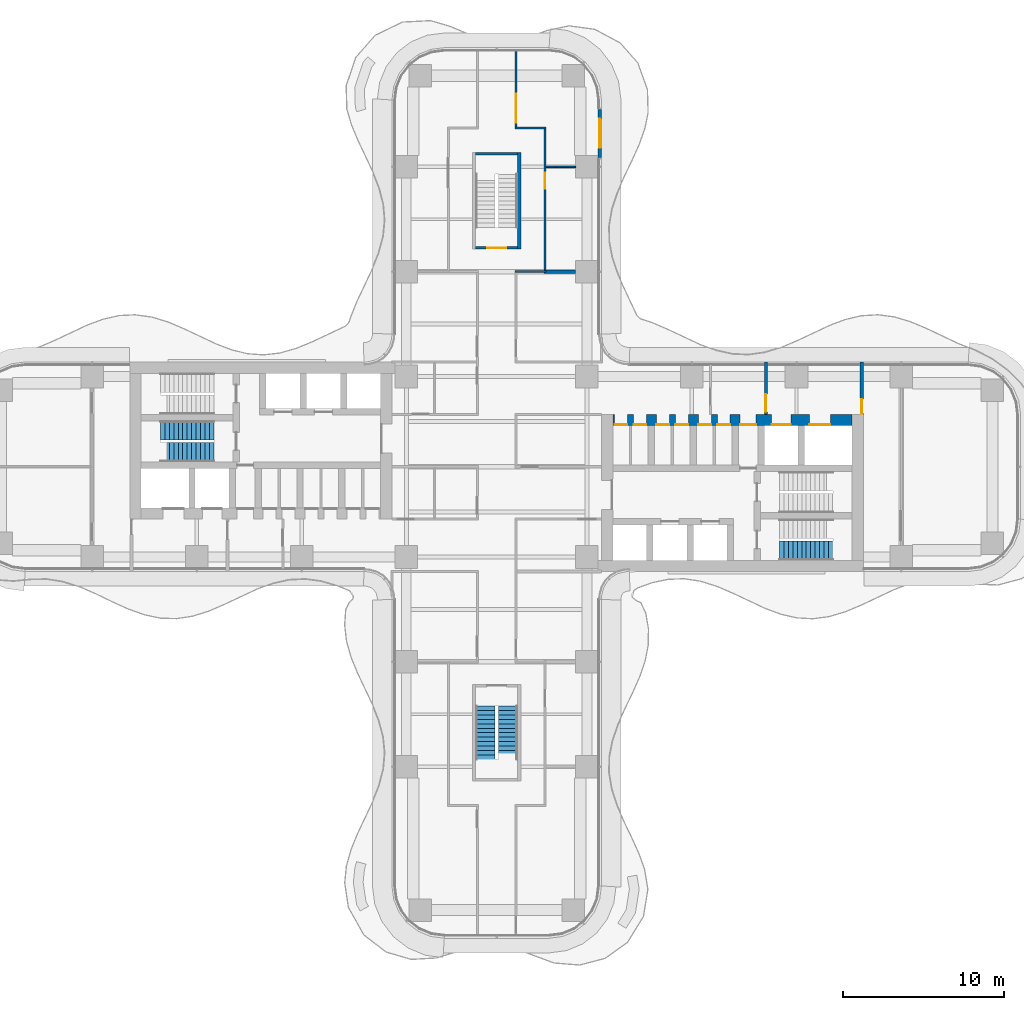
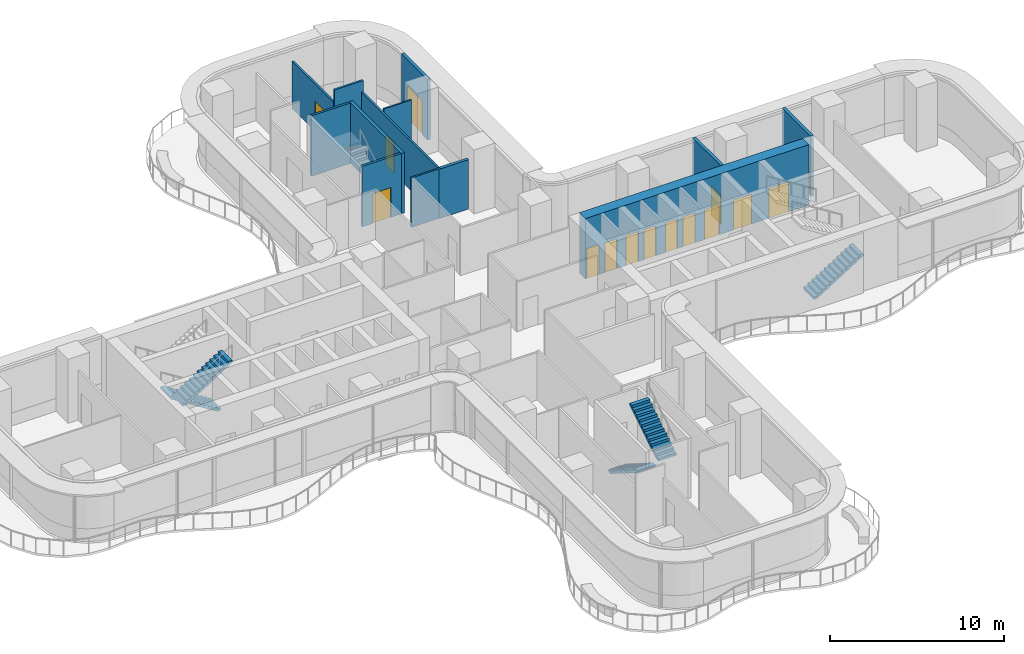
# One storey, part 20 of 23: 15 doors, 13 walls, 5 stair flights, 15 openings, 3 elements without a shape of their own.
"""IFC4 building model written with IfcOpenShell, lengths in metres."""

from ifc_helpers import new_model, si_unit, direction, frame, frame_2d, origin, place, context, subcontext, project, spatial, polyline, rectangle, outline, extrude, source, transform, mapped, material, layer, layer_set, type_object, element, fill, aggregate, save


model = new_model("IFC4")

# Units and contexts
model_context = context("Model", 3, precision=1e-05, world=origin(), true_north=direction((0.0, 1.0)))
body_context = subcontext(model_context, "Body", "Model", "MODEL_VIEW")
ifc_project = project(units=[si_unit("LENGTHUNIT", "METRE"), si_unit("AREAUNIT", "SQUARE_METRE"), si_unit("VOLUMEUNIT", "CUBIC_METRE"), si_unit("PLANEANGLEUNIT", "RADIAN"), si_unit("MASSUNIT", "GRAM", prefix="KILO")], contexts=[model_context])

# Site, building, storey
site_placement = place(None, origin())
site = spatial("IfcSite", under=ifc_project, at=site_placement, CompositionType="ELEMENT")
building_placement = place(site_placement, origin())
building = spatial("IfcBuilding", under=site, at=building_placement, Name="Trellis Farm Tower", CompositionType="ELEMENT")
storey_placement = place(building_placement, frame((0.0, 0.0, 83.5)))
storey = spatial("IfcBuildingStorey", under=building, at=storey_placement, Name="L17", CompositionType="ELEMENT", Elevation=83.5)

# Wall, opening, door
ifc_material_1 = material(Name="Masonry blockwork", Category="masonry")
ifc_layer_1 = layer(ifc_material_1, 0.199951171875)
ifc_layer_set_1 = layer_set([ifc_layer_1], Name="FIRE LOBBY PARTITION 200 BLOCKWORK")
wall_type_1 = type_object("IfcWallType", Name="FIRE LOBBY PARTITION 200 BLOCKWORK", PredefinedType="PARTITIONING", material=ifc_layer_set_1)
shared_shape_1 = source(origin(), body_context, "Body", "SweptSolid", [
    extrude(rectangle(XDim=3.25, YDim=0.199951171875, at=frame_2d((1.625, 0.0))), origin(), (0.0, 0.0, 1.0), 4.25),
])
wall_1_placement = place(storey_placement, frame((16.699951171875, 3.25, 0.0), z_axis=(0.0, 0.0, 1.0), x_axis=(0.0, 1.0, 0.0)))
wall_1 = element("IfcWall", 1, at=wall_1_placement, inside=storey, type_object=wall_type_1, Name="Fire-fighting lobby partition", PredefinedType="PARTITIONING", context=body_context, shape_type="MappedRepresentation", body=[
    mapped(shared_shape_1, transform((0.0, 0.0, 0.0))),
])
shared_shape_2 = source(origin(), body_context, "Body", "SweptSolid", [
    extrude(rectangle(XDim=1.10009765625, YDim=2.10009765625, at=frame_2d((0.550048828125, 1.050048828125))), frame((0.0, 0.110107421875, 0.0), z_axis=(0.0, -1.0, 0.0), x_axis=(1.0, 0.0, 0.0)), (0.0, 0.0, 1.0), 0.22021484375),
])
opening_1_placement = place(wall_1_placement, frame((0.14990234375, 0.0, 0.0)))
opening_1 = element("IfcOpeningElement", 2, at=opening_1_placement, cuts=wall_1, Name="Opening DC7", PredefinedType="OPENING", context=body_context, shape_type="MappedRepresentation", body=[
    mapped(shared_shape_2, transform((0.0, 0.0, 0.0))),
])
ifc_material_2 = material(Name="Steel", Category="steel")
door_type_1 = type_object("IfcDoorType", Name="CORE FIRE DOOR 1100 X 2100", OperationType="NOTDEFINED", PredefinedType="DOOR", material=ifc_material_2)
shared_shape_3 = source(origin(), body_context, "Body", "SweptSolid", [
    extrude(rectangle(XDim=1.10009765625, YDim=2.10009765625, at=frame_2d((0.550048828125, 1.050048828125))), frame((0.0, 0.02490234375, 0.0), z_axis=(0.0, -1.0, 0.0), x_axis=(1.0, 0.0, 0.0)), (0.0, 0.0, 1.0), 0.050048828125),
])
door_1_placement = place(opening_1_placement, origin())
door_1 = element("IfcDoor", 3, at=door_1_placement, inside=storey, type_object=door_type_1, Name="Core door", OperationType="SINGLE_SWING_RIGHT", OverallHeight=2.10009765625, OverallWidth=1.10009765625, PredefinedType="DOOR", context=body_context, shape_type="MappedRepresentation", body=[
    mapped(shared_shape_3, transform((0.0, 0.0, 0.0))),
])
fill(opening_1, door_1)

wall_2_placement = place(storey_placement, frame((22.64990234375, 3.25, 0.0), z_axis=(0.0, 0.0, 1.0), x_axis=(0.0, 1.0, 0.0)))
wall_2 = element("IfcWall", 4, at=wall_2_placement, inside=storey, type_object=wall_type_1, Name="Fire-fighting lobby partition", PredefinedType="PARTITIONING", context=body_context, shape_type="MappedRepresentation", body=[
    mapped(shared_shape_1, transform((0.0, 0.0, 0.0))),
])
shared_shape_4 = source(origin(), body_context, "Body", "SweptSolid", [
    extrude(rectangle(XDim=0.89990234375, YDim=2.10009765625, at=frame_2d((0.449951171875, 1.050048828125))), frame((0.0, 0.110107421875, 0.0), z_axis=(0.0, -1.0, 0.0), x_axis=(1.0, 0.0, 0.0)), (0.0, 0.0, 1.0), 0.22021484375),
])
opening_2_placement = place(wall_2_placement, frame((0.050048828125, 0.0, 0.0)))
opening_2 = element("IfcOpeningElement", 5, at=opening_2_placement, cuts=wall_2, Name="Opening DC8", PredefinedType="OPENING", context=body_context, shape_type="MappedRepresentation", body=[
    mapped(shared_shape_4, transform((0.0, 0.0, 0.0))),
])
door_type_2 = type_object("IfcDoorType", Name="CORE FIRE DOOR 900 X 2100", OperationType="NOTDEFINED", PredefinedType="DOOR", material=ifc_material_2)
shared_shape_5 = source(origin(), body_context, "Body", "SweptSolid", [
    extrude(rectangle(XDim=0.89990234375, YDim=2.10009765625, at=frame_2d((0.449951171875, 1.050048828125))), frame((0.0, 0.02490234375, 0.0), z_axis=(0.0, -1.0, 0.0), x_axis=(1.0, 0.0, 0.0)), (0.0, 0.0, 1.0), 0.050048828125),
])
door_2_placement = place(opening_2_placement, origin())
door_2 = element("IfcDoor", 6, at=door_2_placement, inside=storey, type_object=door_type_2, Name="Core door", OperationType="SINGLE_SWING_RIGHT", OverallHeight=2.10009765625, OverallWidth=0.89990234375, PredefinedType="DOOR", context=body_context, shape_type="MappedRepresentation", body=[
    mapped(shared_shape_5, transform((0.0, 0.0, 0.0))),
])
fill(opening_2, door_2)

# Wall, openings, doors
ifc_material_3 = material(Name="Concrete C80/95", Category="concrete")
ifc_layer_2 = layer(ifc_material_3, 0.699951171875)
ifc_layer_set_2 = layer_set([ifc_layer_2], Name="CORE OUTER WALL 700 CONCRETE C80/95")
wall_type_2 = type_object("IfcWallType", Name="CORE OUTER WALL 700 CONCRETE C80/95", PredefinedType="SHEAR", material=ifc_layer_set_2)
shared_shape_6 = source(origin(), body_context, "Body", "SweptSolid", [
    extrude(rectangle(XDim=14.85009765625, YDim=0.699951171875, at=frame_2d((7.425048828125, 0.0))), origin(), (0.0, 0.0, 1.0), 4.25),
])
wall_3_placement = place(storey_placement, frame((7.199951171875, 2.89990234375, 0.0), z_axis=(0.0, 0.0, 1.0), x_axis=(1.0, 0.0, 0.0)))
wall_3 = element("IfcWall", 7, at=wall_3_placement, inside=storey, type_object=wall_type_2, Name="Core wall", PredefinedType="SHEAR", context=body_context, shape_type="MappedRepresentation", body=[
    mapped(shared_shape_6, transform((0.0, 0.0, 0.0))),
])
shared_shape_7 = source(origin(), body_context, "Body", "SweptSolid", [
    extrude(rectangle(XDim=1.300048828125, YDim=2.10009765625, at=frame_2d((0.64990234375, 1.050048828125))), frame((0.0, 0.360107421875, 0.0), z_axis=(0.0, -1.0, 0.0), x_axis=(1.0, 0.0, 0.0)), (0.0, 0.0, 1.0), 0.72021484375),
])
opening_3_placement = place(wall_3_placement, frame((12.199951171875, 0.0, 0.0)))
opening_3 = element("IfcOpeningElement", 8, at=opening_3_placement, cuts=wall_3, Name="Opening LD7", PredefinedType="OPENING", context=body_context, shape_type="MappedRepresentation", body=[
    mapped(shared_shape_7, transform((0.0, 0.0, 0.0))),
])
shared_shape_8 = source(origin(), body_context, "Body", "SweptSolid", [
    extrude(rectangle(XDim=1.199951171875, YDim=2.10009765625, at=frame_2d((0.60009765625, 1.050048828125))), frame((0.0, 0.360107421875, 0.0), z_axis=(0.0, -1.0, 0.0), x_axis=(1.0, 0.0, 0.0)), (0.0, 0.0, 1.0), 0.72021484375),
])
opening_4_placement = place(wall_3_placement, frame((9.85009765625, 0.0, 0.0)))
opening_4 = element("IfcOpeningElement", 9, at=opening_4_placement, cuts=wall_3, Name="Opening LD8", PredefinedType="OPENING", context=body_context, shape_type="MappedRepresentation", body=[
    mapped(shared_shape_8, transform((0.0, 0.0, 0.0))),
])
shared_shape_9 = source(origin(), body_context, "Body", "SweptSolid", [
    extrude(rectangle(XDim=1.0, YDim=2.10009765625, at=frame_2d((0.5, 1.050048828125))), frame((0.0, 0.360107421875, 0.0), z_axis=(0.0, -1.0, 0.0), x_axis=(1.0, 0.0, 0.0)), (0.0, 0.0, 1.0), 0.72021484375),
])
opening_5_placement = place(wall_3_placement, frame((7.89990234375, 0.0, 0.0)))
opening_5 = element("IfcOpeningElement", 10, at=opening_5_placement, cuts=wall_3, Name="Opening DC6", PredefinedType="OPENING", context=body_context, shape_type="MappedRepresentation", body=[
    mapped(shared_shape_9, transform((0.0, 0.0, 0.0))),
])
shared_shape_10 = source(origin(), body_context, "Body", "SweptSolid", [
    extrude(rectangle(XDim=0.800048828125, YDim=2.10009765625, at=frame_2d((0.39990234375, 1.050048828125))), frame((0.0, 0.360107421875, 0.0), z_axis=(0.0, -1.0, 0.0), x_axis=(1.0, 0.0, 0.0)), (0.0, 0.0, 1.0), 0.72021484375),
])
opening_6_placement = place(wall_3_placement, frame((0.112548828125, 0.0, 0.0)))
opening_6 = element("IfcOpeningElement", 11, at=opening_6_placement, cuts=wall_3, Name="Opening DC9", PredefinedType="OPENING", context=body_context, shape_type="MappedRepresentation", body=[
    mapped(shared_shape_10, transform((0.0, 0.0, 0.0))),
])
opening_7_placement = place(wall_3_placement, frame((1.28759765625, 0.0, 0.0)))
opening_7 = element("IfcOpeningElement", 12, at=opening_7_placement, cuts=wall_3, Name="Opening DC16", PredefinedType="OPENING", context=body_context, shape_type="MappedRepresentation", body=[
    mapped(shared_shape_10, transform((0.0, 0.0, 0.0))),
])
opening_8_placement = place(wall_3_placement, frame((2.71240234375, 0.0, 0.0)))
opening_8 = element("IfcOpeningElement", 13, at=opening_8_placement, cuts=wall_3, Name="Opening DC21", PredefinedType="OPENING", context=body_context, shape_type="MappedRepresentation", body=[
    mapped(shared_shape_10, transform((0.0, 0.0, 0.0))),
])
opening_9_placement = place(wall_3_placement, frame((3.887451171875, 0.0, 0.0)))
opening_9 = element("IfcOpeningElement", 14, at=opening_9_placement, cuts=wall_3, Name="Opening DC28", PredefinedType="OPENING", context=body_context, shape_type="MappedRepresentation", body=[
    mapped(shared_shape_10, transform((0.0, 0.0, 0.0))),
])
opening_10_placement = place(wall_3_placement, frame((5.3125, 0.0, 0.0)))
opening_10 = element("IfcOpeningElement", 15, at=opening_10_placement, cuts=wall_3, Name="Opening DC33", PredefinedType="OPENING", context=body_context, shape_type="MappedRepresentation", body=[
    mapped(shared_shape_10, transform((0.0, 0.0, 0.0))),
])
opening_11_placement = place(wall_3_placement, frame((6.487548828125, 0.0, 0.0)))
opening_11 = element("IfcOpeningElement", 16, at=opening_11_placement, cuts=wall_3, Name="Opening DC40", PredefinedType="OPENING", context=body_context, shape_type="MappedRepresentation", body=[
    mapped(shared_shape_10, transform((0.0, 0.0, 0.0))),
])
door_type_3 = type_object("IfcDoorType", Name="CORE FIRE DOOR 1000 X 2100", OperationType="NOTDEFINED", PredefinedType="DOOR", material=ifc_material_2)
shared_shape_11 = source(origin(), body_context, "Body", "SweptSolid", [
    extrude(rectangle(XDim=1.0, YDim=2.10009765625, at=frame_2d((0.5, 1.050048828125))), frame((0.0, -0.27490234375, 0.0), z_axis=(0.0, -1.0, 0.0), x_axis=(1.0, 0.0, 0.0)), (0.0, 0.0, 1.0), 0.050048828125),
])
door_3_placement = place(opening_5_placement, origin())
door_3 = element("IfcDoor", 17, at=door_3_placement, inside=storey, type_object=door_type_3, Name="Core door", OperationType="SINGLE_SWING_LEFT", OverallHeight=2.10009765625, OverallWidth=1.0, PredefinedType="DOOR", context=body_context, shape_type="MappedRepresentation", body=[
    mapped(shared_shape_11, transform((0.0, 0.0, 0.0))),
])
fill(opening_5, door_3)
ifc_material_4 = material(Name="Stainless steel", Category="steel")
door_type_4 = type_object("IfcDoorType", Name="LIFT LANDING DOOR 1300 X 2100", OperationType="DOUBLE_DOOR_SLIDING", PredefinedType="DOOR", material=ifc_material_4)
shared_shape_12 = source(origin(), body_context, "Body", "SweptSolid", [
    extrude(rectangle(XDim=1.300048828125, YDim=2.10009765625, at=frame_2d((0.64990234375, 1.050048828125))), frame((0.0, -0.27490234375, 0.0), z_axis=(0.0, -1.0, 0.0), x_axis=(1.0, 0.0, 0.0)), (0.0, 0.0, 1.0), 0.050048828125),
])
door_4_placement = place(opening_3_placement, origin())
door_4 = element("IfcDoor", 18, at=door_4_placement, inside=storey, type_object=door_type_4, Name="Lift landing door", OperationType="DOUBLE_DOOR_SLIDING", OverallHeight=2.10009765625, OverallWidth=1.300048828125, PredefinedType="DOOR", context=body_context, shape_type="MappedRepresentation", body=[
    mapped(shared_shape_12, transform((0.0, 0.0, 0.0))),
])
fill(opening_3, door_4)
door_type_5 = type_object("IfcDoorType", Name="LIFT LANDING DOOR 1200 X 2100", OperationType="DOUBLE_DOOR_SLIDING", PredefinedType="DOOR", material=ifc_material_4)
shared_shape_13 = source(origin(), body_context, "Body", "SweptSolid", [
    extrude(rectangle(XDim=1.199951171875, YDim=2.10009765625, at=frame_2d((0.60009765625, 1.050048828125))), frame((0.0, -0.27490234375, 0.0), z_axis=(0.0, -1.0, 0.0), x_axis=(1.0, 0.0, 0.0)), (0.0, 0.0, 1.0), 0.050048828125),
])
door_5_placement = place(opening_4_placement, origin())
door_5 = element("IfcDoor", 19, at=door_5_placement, inside=storey, type_object=door_type_5, Name="Lift landing door", OperationType="DOUBLE_DOOR_SLIDING", OverallHeight=2.10009765625, OverallWidth=1.199951171875, PredefinedType="DOOR", context=body_context, shape_type="MappedRepresentation", body=[
    mapped(shared_shape_13, transform((0.0, 0.0, 0.0))),
])
fill(opening_4, door_5)
door_type_6 = type_object("IfcDoorType", Name="CORE FIRE DOOR 800 X 2100", OperationType="NOTDEFINED", PredefinedType="DOOR", material=ifc_material_2)
shared_shape_14 = source(origin(), body_context, "Body", "SweptSolid", [
    extrude(rectangle(XDim=0.800048828125, YDim=2.10009765625, at=frame_2d((0.39990234375, 1.050048828125))), frame((0.0, -0.27490234375, 0.0), z_axis=(0.0, -1.0, 0.0), x_axis=(1.0, 0.0, 0.0)), (0.0, 0.0, 1.0), 0.050048828125),
])
door_6_placement = place(opening_6_placement, origin())
door_6 = element("IfcDoor", 20, at=door_6_placement, inside=storey, type_object=door_type_6, Name="Core door", OperationType="SINGLE_SWING_LEFT", OverallHeight=2.10009765625, OverallWidth=0.800048828125, PredefinedType="DOOR", context=body_context, shape_type="MappedRepresentation", body=[
    mapped(shared_shape_14, transform((0.0, 0.0, 0.0))),
])
fill(opening_6, door_6)
door_7_placement = place(opening_7_placement, origin())
door_7 = element("IfcDoor", 21, at=door_7_placement, inside=storey, type_object=door_type_6, Name="Core door", OperationType="SINGLE_SWING_RIGHT", OverallHeight=2.10009765625, OverallWidth=0.800048828125, PredefinedType="DOOR", context=body_context, shape_type="MappedRepresentation", body=[
    mapped(shared_shape_14, transform((0.0, 0.0, 0.0))),
])
fill(opening_7, door_7)
door_8_placement = place(opening_8_placement, origin())
door_8 = element("IfcDoor", 22, at=door_8_placement, inside=storey, type_object=door_type_6, Name="Core door", OperationType="SINGLE_SWING_LEFT", OverallHeight=2.10009765625, OverallWidth=0.800048828125, PredefinedType="DOOR", context=body_context, shape_type="MappedRepresentation", body=[
    mapped(shared_shape_14, transform((0.0, 0.0, 0.0))),
])
fill(opening_8, door_8)
door_9_placement = place(opening_9_placement, origin())
door_9 = element("IfcDoor", 23, at=door_9_placement, inside=storey, type_object=door_type_6, Name="Core door", OperationType="SINGLE_SWING_RIGHT", OverallHeight=2.10009765625, OverallWidth=0.800048828125, PredefinedType="DOOR", context=body_context, shape_type="MappedRepresentation", body=[
    mapped(shared_shape_14, transform((0.0, 0.0, 0.0))),
])
fill(opening_9, door_9)
door_10_placement = place(opening_10_placement, origin())
door_10 = element("IfcDoor", 24, at=door_10_placement, inside=storey, type_object=door_type_6, Name="Core door", OperationType="SINGLE_SWING_LEFT", OverallHeight=2.10009765625, OverallWidth=0.800048828125, PredefinedType="DOOR", context=body_context, shape_type="MappedRepresentation", body=[
    mapped(shared_shape_14, transform((0.0, 0.0, 0.0))),
])
fill(opening_10, door_10)
door_11_placement = place(opening_11_placement, origin())
door_11 = element("IfcDoor", 25, at=door_11_placement, inside=storey, type_object=door_type_6, Name="Core door", OperationType="SINGLE_SWING_RIGHT", OverallHeight=2.10009765625, OverallWidth=0.800048828125, PredefinedType="DOOR", context=body_context, shape_type="MappedRepresentation", body=[
    mapped(shared_shape_14, transform((0.0, 0.0, 0.0))),
])
fill(opening_11, door_11)

# Wall
ifc_layer_3 = layer(ifc_material_3, 0.199951171875)
ifc_layer_set_3 = layer_set([ifc_layer_3], Name="CORE STAIR ENCLOSURE WALL 200 CONCRETE C80/95")
wall_type_3 = type_object("IfcWallType", Name="CORE STAIR ENCLOSURE WALL 200 CONCRETE C80/95", PredefinedType="SHEAR", material=ifc_layer_set_3)
shared_shape_15 = source(origin(), body_context, "Body", "SweptSolid", [
    extrude(rectangle(XDim=6.0, YDim=0.199951171875, at=frame_2d((3.0, 0.0))), origin(), (0.0, 0.0, 1.0), 4.25),
])
wall_4_placement = place(storey_placement, frame((1.39990234375, 13.5, 0.0), z_axis=(0.0, 0.0, 1.0), x_axis=(0.0, 1.0, 0.0)))
element("IfcWall", 26, at=wall_4_placement, inside=storey, type_object=wall_type_3, Name="Stair enclosure wall", PredefinedType="SHEAR", context=body_context, shape_type="MappedRepresentation", body=[
    mapped(shared_shape_15, transform((0.0, 0.0, 0.0))),
])

# Wall, opening, door
ifc_layer_4 = layer(ifc_material_3, 0.14990234375)
ifc_layer_set_4 = layer_set([ifc_layer_4], Name="CORE STAIR ENCLOSURE WALL 150 CONCRETE C80/95")
wall_type_4 = type_object("IfcWallType", Name="CORE STAIR ENCLOSURE WALL 150 CONCRETE C80/95", PredefinedType="SHEAR", material=ifc_layer_set_4)
shared_shape_16 = source(origin(), body_context, "Body", "SweptSolid", [
    extrude(rectangle(XDim=2.60009765625, YDim=0.14990234375, at=frame_2d((1.300048828125, 0.0))), origin(), (0.0, 0.0, 1.0), 4.25),
])
wall_5_placement = place(storey_placement, frame((-1.300048828125, 13.574951171875, 0.0), z_axis=(0.0, 0.0, 1.0), x_axis=(1.0, 0.0, 0.0)))
wall_5 = element("IfcWall", 27, at=wall_5_placement, inside=storey, type_object=wall_type_4, Name="Stair enclosure wall", PredefinedType="SHEAR", context=body_context, shape_type="MappedRepresentation", body=[
    mapped(shared_shape_16, transform((0.0, 0.0, 0.0))),
])
shared_shape_17 = source(origin(), body_context, "Body", "SweptSolid", [
    extrude(rectangle(XDim=1.199951171875, YDim=2.10009765625, at=frame_2d((0.60009765625, 1.050048828125))), frame((0.0, 0.0849609375, 0.0), z_axis=(0.0, -1.0, 0.0), x_axis=(1.0, 0.0, 0.0)), (0.0, 0.0, 1.0), 0.169921875),
])
opening_12_placement = place(wall_5_placement, frame((0.699951171875, 0.0, 0.0)))
opening_12 = element("IfcOpeningElement", 28, at=opening_12_placement, cuts=wall_5, Name="Opening DC173", PredefinedType="OPENING", context=body_context, shape_type="MappedRepresentation", body=[
    mapped(shared_shape_17, transform((0.0, 0.0, 0.0))),
])
door_type_7 = type_object("IfcDoorType", Name="CORE FIRE DOOR 1200 X 2100", OperationType="NOTDEFINED", PredefinedType="DOOR", material=ifc_material_2)
shared_shape_18 = source(origin(), body_context, "Body", "SweptSolid", [
    extrude(rectangle(XDim=1.199951171875, YDim=2.10009765625, at=frame_2d((0.60009765625, 1.050048828125))), frame((0.0, 0.02490234375, 0.0), z_axis=(0.0, -1.0, 0.0), x_axis=(1.0, 0.0, 0.0)), (0.0, 0.0, 1.0), 0.050048828125),
])
door_12_placement = place(opening_12_placement, origin())
door_12 = element("IfcDoor", 29, at=door_12_placement, inside=storey, type_object=door_type_7, Name="Core door", OperationType="SINGLE_SWING_LEFT", OverallHeight=2.10009765625, OverallWidth=1.199951171875, PredefinedType="DOOR", context=body_context, shape_type="MappedRepresentation", body=[
    mapped(shared_shape_18, transform((0.0, 0.0, 0.0))),
])
fill(opening_12, door_12)

# Wall
wall_6_placement = place(storey_placement, frame((-1.300048828125, 19.425048828125, 0.0), z_axis=(0.0, 0.0, 1.0), x_axis=(1.0, 0.0, 0.0)))
element("IfcWall", 30, at=wall_6_placement, inside=storey, type_object=wall_type_4, Name="Stair enclosure wall", PredefinedType="SHEAR", context=body_context, shape_type="MappedRepresentation", body=[
    mapped(shared_shape_16, transform((0.0, 0.0, 0.0))),
])

# Wall, opening, door
ifc_material_5 = material(Name="Sandstone faced insulated wall", Category="masonry")
ifc_layer_5 = layer(ifc_material_5, 0.199951171875)
ifc_layer_set_5 = layer_set([ifc_layer_5], Name="EXTERNAL INFILL WALL 200")
wall_type_5 = type_object("IfcWallType", Name="EXTERNAL INFILL WALL 200", PredefinedType="SOLIDWALL", material=ifc_layer_set_5)
shared_shape_19 = source(origin(), body_context, "Body", "SweptSolid", [
    extrude(rectangle(XDim=3.0, YDim=0.199951171875, at=frame_2d((1.5, 0.0))), origin(), (0.0, 0.0, 1.0), 4.25),
])
wall_7_placement = place(storey_placement, frame((6.39990234375, 19.175048828125, 0.0), z_axis=(0.0, 0.0, 1.0), x_axis=(0.0, 1.0, 0.0)))
wall_7 = element("IfcWall", 31, at=wall_7_placement, inside=storey, type_object=wall_type_5, Name="EW1 01", PredefinedType="SOLIDWALL", context=body_context, shape_type="MappedRepresentation", body=[
    mapped(shared_shape_19, transform((0.0, 0.0, 0.0))),
])
shared_shape_20 = source(origin(), body_context, "Body", "SweptSolid", [
    extrude(rectangle(XDim=1.800048828125, YDim=2.39990234375, at=frame_2d((0.89990234375, 1.199951171875))), frame((0.0, 0.110107421875, 0.0), z_axis=(0.0, -1.0, 0.0), x_axis=(1.0, 0.0, 0.0)), (0.0, 0.0, 1.0), 0.22021484375),
])
opening_13_placement = place(wall_7_placement, frame((0.60009765625, 0.0, 0.0)))
opening_13 = element("IfcOpeningElement", 32, at=opening_13_placement, cuts=wall_7, Name="Opening ED1", PredefinedType="OPENING", context=body_context, shape_type="MappedRepresentation", body=[
    mapped(shared_shape_20, transform((0.0, 0.0, 0.0))),
])
ifc_material_6 = material(Name="Aluminium framed glazed door", Category="aluminium")
door_type_8 = type_object("IfcDoorType", Name="BALCONY DOOR 1800x2400", OperationType="DOUBLE_DOOR_SINGLE_SWING", PredefinedType="DOOR", material=ifc_material_6)
shared_shape_21 = source(origin(), body_context, "Body", "SweptSolid", [
    extrude(rectangle(XDim=1.800048828125, YDim=2.39990234375, at=frame_2d((0.89990234375, 1.199951171875))), frame((0.0, 0.02490234375, 0.0), z_axis=(0.0, -1.0, 0.0), x_axis=(1.0, 0.0, 0.0)), (0.0, 0.0, 1.0), 0.050048828125),
])
door_13_placement = place(opening_13_placement, origin())
door_13 = element("IfcDoor", 33, at=door_13_placement, inside=storey, type_object=door_type_8, Name="Balcony door", OperationType="DOUBLE_DOOR_SINGLE_SWING", OverallHeight=2.39990234375, OverallWidth=1.800048828125, PredefinedType="DOOR", context=body_context, shape_type="MappedRepresentation", body=[
    mapped(shared_shape_21, transform((0.0, 0.0, 0.0))),
])
fill(opening_13, door_13)

# Walls
ifc_material_7 = material(Name="Plasterboard on steel studs, mineral wool", Category="steel")
ifc_layer_6 = layer(ifc_material_7, 0.125)
ifc_layer_set_6 = layer_set([ifc_layer_6], Name="PARTITION 125 STUD EI 60")
wall_type_6 = type_object("IfcWallType", Name="PARTITION 125 STUD EI 60", PredefinedType="PARTITIONING", material=ifc_layer_set_6)
shared_shape_22 = source(origin(), body_context, "Body", "SweptSolid", [
    extrude(rectangle(XDim=1.925048828125, YDim=0.125, at=frame_2d((0.96240234375, 0.0))), origin(), (0.0, 0.0, 1.0), 3.4677734375),
])
wall_8_placement = place(storey_placement, frame((3.0625, 12.10009765625, 0.0), z_axis=(0.0, 0.0, 1.0), x_axis=(-1.0, 0.0, 0.0)))
element("IfcWall", 34, at=wall_8_placement, inside=storey, type_object=wall_type_6, Name="Partition PW1", PredefinedType="PARTITIONING", context=body_context, shape_type="MappedRepresentation", body=[
    mapped(shared_shape_22, transform((0.0, 0.0, 0.0))),
])
ifc_material_8 = material(Name="Lightweight blockwork, plastered", Category="masonry")
ifc_layer_7 = layer(ifc_material_8, 0.199951171875)
ifc_layer_set_7 = layer_set([ifc_layer_7], Name="BLOCK WALL 200 EI 120")
wall_type_7 = type_object("IfcWallType", Name="BLOCK WALL 200 EI 120", PredefinedType="PARTITIONING", material=ifc_layer_set_7)
shared_shape_23 = source(origin(), body_context, "Body", "SweptSolid", [
    extrude(rectangle(XDim=1.96240234375, YDim=0.199951171875, at=frame_2d((0.981201171875, 0.0))), origin(), (0.0, 0.0, 1.0), 3.4677734375),
])
wall_9_placement = place(storey_placement, frame((2.9375, 12.10009765625, 0.0), z_axis=(0.0, 0.0, 1.0), x_axis=(1.0, 0.0, 0.0)))
element("IfcWall", 35, at=wall_9_placement, inside=storey, type_object=wall_type_7, Name="Partition PW3", PredefinedType="PARTITIONING", context=body_context, shape_type="MappedRepresentation", body=[
    mapped(shared_shape_23, transform((0.0, 0.0, 0.0))),
])

# Wall, opening, door
shared_shape_24 = source(origin(), body_context, "Body", "SweptSolid", [
    extrude(rectangle(XDim=8.737548828125, YDim=0.125, at=frame_2d((4.36865234375, 0.0))), origin(), (0.0, 0.0, 1.0), 3.4677734375),
])
wall_10_placement = place(storey_placement, frame((3.0, 20.9375, 0.0), z_axis=(0.0, 0.0, 1.0), x_axis=(0.0, -1.0, 0.0)))
wall_10 = element("IfcWall", 36, at=wall_10_placement, inside=storey, type_object=wall_type_6, Name="Partition PW1", PredefinedType="PARTITIONING", context=body_context, shape_type="MappedRepresentation", body=[
    mapped(shared_shape_24, transform((0.0, 0.0, 0.0))),
])
shared_shape_25 = source(origin(), body_context, "Body", "SweptSolid", [
    extrude(rectangle(XDim=1.0, YDim=2.10009765625, at=frame_2d((0.5, 1.050048828125))), frame((0.0, 0.072509765625, 0.0), z_axis=(0.0, -1.0, 0.0), x_axis=(1.0, 0.0, 0.0)), (0.0, 0.0, 1.0), 0.14501953125),
])
opening_14_placement = place(wall_10_placement, frame((2.6875, 0.0, 0.0)))
opening_14 = element("IfcOpeningElement", 37, at=opening_14_placement, cuts=wall_10, Name="Opening D109", PredefinedType="OPENING", context=body_context, shape_type="MappedRepresentation", body=[
    mapped(shared_shape_25, transform((0.0, 0.0, 0.0))),
])
ifc_material_9 = material(Name="Fire-rated timber door leaf in a hollow metal frame", Category="wood")
door_type_9 = type_object("IfcDoorType", Name="DOOR 1000x2100 FD30S", OperationType="NOTDEFINED", PredefinedType="DOOR", material=ifc_material_9)
shared_shape_26 = source(origin(), body_context, "Body", "SweptSolid", [
    extrude(rectangle(XDim=1.0, YDim=2.10009765625, at=frame_2d((0.5, 1.050048828125))), frame((0.0, 0.02490234375, 0.0), z_axis=(0.0, -1.0, 0.0), x_axis=(1.0, 0.0, 0.0)), (0.0, 0.0, 1.0), 0.050048828125),
])
door_14_placement = place(opening_14_placement, origin())
door_14 = element("IfcDoor", 38, at=door_14_placement, inside=storey, type_object=door_type_9, Name="Door D109", OperationType="SINGLE_SWING_LEFT", OverallHeight=2.10009765625, OverallWidth=1.0, PredefinedType="DOOR", context=body_context, shape_type="MappedRepresentation", body=[
    mapped(shared_shape_26, transform((0.0, 0.0, 0.0))),
])
fill(opening_14, door_14)

# Walls
shared_shape_27 = source(origin(), body_context, "Body", "SweptSolid", [
    extrude(rectangle(XDim=1.925048828125, YDim=0.125, at=frame_2d((0.96240234375, 0.0))), origin(), (0.0, 0.0, 1.0), 4.25),
])
wall_11_placement = place(storey_placement, frame((1.137451171875, 21.0, 0.0), z_axis=(0.0, 0.0, 1.0), x_axis=(1.0, 0.0, 0.0)))
element("IfcWall", 39, at=wall_11_placement, inside=storey, type_object=wall_type_6, Name="Partition PW1", PredefinedType="PARTITIONING", context=body_context, shape_type="MappedRepresentation", body=[
    mapped(shared_shape_27, transform((0.0, 0.0, 0.0))),
])
ifc_material_10 = material(Name="Plasterboard on steel studs", Category="steel")
ifc_layer_8 = layer(ifc_material_10, 0.10009765625)
ifc_layer_set_8 = layer_set([ifc_layer_8], Name="PARTITION 100 STUD EI 30")
wall_type_8 = type_object("IfcWallType", Name="PARTITION 100 STUD EI 30", PredefinedType="PARTITIONING", material=ifc_layer_set_8)
shared_shape_28 = source(origin(), body_context, "Body", "SweptSolid", [
    extrude(rectangle(XDim=1.83740234375, YDim=0.10009765625, at=frame_2d((0.918701171875, 0.0))), origin(), (0.0, 0.0, 1.0), 3.697021484375),
])
wall_12_placement = place(storey_placement, frame((3.0625, 18.60009765625, 0.0), z_axis=(0.0, 0.0, 1.0), x_axis=(1.0, 0.0, 0.0)))
element("IfcWall", 40, at=wall_12_placement, inside=storey, type_object=wall_type_8, Name="Partition PW2", PredefinedType="PARTITIONING", context=body_context, shape_type="MappedRepresentation", body=[
    mapped(shared_shape_28, transform((0.0, 0.0, 0.0))),
])

# Wall, opening, door
shared_shape_29 = source(origin(), body_context, "Body", "SweptSolid", [
    extrude(rectangle(XDim=4.737548828125, YDim=0.125, at=frame_2d((2.36865234375, 0.0))), origin(), (0.0, 0.0, 1.0), 3.330078125),
])
wall_13_placement = place(storey_placement, frame((1.199951171875, 25.800048828125, 0.0), z_axis=(0.0, 0.0, 1.0), x_axis=(0.0, -1.0, 0.0)))
wall_13 = element("IfcWall", 41, at=wall_13_placement, inside=storey, type_object=wall_type_6, Name="Partition PW1", PredefinedType="PARTITIONING", context=body_context, shape_type="MappedRepresentation", body=[
    mapped(shared_shape_29, transform((0.0, 0.0, 0.0))),
])
shared_shape_30 = source(origin(), body_context, "Body", "SweptSolid", [
    extrude(rectangle(XDim=1.800048828125, YDim=2.10009765625, at=frame_2d((0.89990234375, 1.050048828125))), frame((0.0, 0.072509765625, 0.0), z_axis=(0.0, -1.0, 0.0), x_axis=(1.0, 0.0, 0.0)), (0.0, 0.0, 1.0), 0.14501953125),
])
opening_15_placement = place(wall_13_placement, frame((2.64990234375, 0.0, 0.0)))
opening_15 = element("IfcOpeningElement", 42, at=opening_15_placement, cuts=wall_13, Name="Opening D203", PredefinedType="OPENING", context=body_context, shape_type="MappedRepresentation", body=[
    mapped(shared_shape_30, transform((0.0, 0.0, 0.0))),
])
door_type_10 = type_object("IfcDoorType", Name="DOOR PAIR 1800x2100 FD30S", OperationType="NOTDEFINED", PredefinedType="DOOR", material=ifc_material_9)
shared_shape_31 = source(origin(), body_context, "Body", "SweptSolid", [
    extrude(rectangle(XDim=1.800048828125, YDim=2.10009765625, at=frame_2d((0.89990234375, 1.050048828125))), frame((0.0, 0.02490234375, 0.0), z_axis=(0.0, -1.0, 0.0), x_axis=(1.0, 0.0, 0.0)), (0.0, 0.0, 1.0), 0.050048828125),
])
door_15_placement = place(opening_15_placement, origin())
door_15 = element("IfcDoor", 43, at=door_15_placement, inside=storey, type_object=door_type_10, Name="Door D203", OperationType="DOUBLE_DOOR_SINGLE_SWING", OverallHeight=2.10009765625, OverallWidth=1.800048828125, PredefinedType="DOOR", context=body_context, shape_type="MappedRepresentation", body=[
    mapped(shared_shape_31, transform((0.0, 0.0, 0.0))),
])
fill(opening_15, door_15)

# Stair, stair flights
ifc_material_11 = material(Name="Concrete C50/60", Category="concrete")
stair_type = type_object("IfcStairType", Name="CORE EXIT STAIR 26 RISERS 173 MM", PredefinedType="HALF_TURN_STAIR", material=ifc_material_11)
placement = place(storey_placement, origin())
stair_1 = element("IfcStair", 44, at=placement, inside=storey, type_object=stair_type, Name="Exit stair S", PredefinedType="HALF_TURN_STAIR")
stair_flight_type = type_object("IfcStairFlightType", Name="STAIR FLIGHT 13 RISERS 173 MM", PredefinedType="STRAIGHT", material=ifc_material_11)
shared_shape_32 = source(origin(), body_context, "Body", "SweptSolid", [
    extrude(outline(polyline([(0.0, 0.0), (0.0, 0.173095703125), (0.27490234375, 0.173095703125), (0.27490234375, 0.34619140625), (0.550048828125, 0.34619140625), (0.550048828125, 0.519287109375), (0.824951171875, 0.519287109375), (0.824951171875, 0.6923828125), (1.10009765625, 0.6923828125), (1.10009765625, 0.865478515625), (1.375, 0.865478515625), (1.375, 1.03857421875), (1.64990234375, 1.03857421875), (1.64990234375, 1.21142578125), (1.925048828125, 1.21142578125), (1.925048828125, 1.384521484375), (2.199951171875, 1.384521484375), (2.199951171875, 1.5576171875), (2.47509765625, 1.5576171875), (2.47509765625, 1.730712890625), (2.75, 1.730712890625), (2.75, 1.90380859375), (3.02490234375, 1.90380859375), (3.02490234375, 2.076904296875), (3.300048828125, 2.076904296875), (3.300048828125, 2.25), (3.300048828125, 1.92333984375), (0.243896484375, 0.0), (0.0, 0.0)])), frame((0.0, 0.60009765625, 0.0), z_axis=(0.0, -1.0, 0.0), x_axis=(1.0, 0.0, 0.0)), (0.0, 0.0, 1.0), 1.199951171875),
])
stair_flight_1_placement = place(storey_placement, frame((-0.699951171875, -14.85009765625, 0.0), z_axis=(0.0, 0.0, 1.0), x_axis=(0.0, -1.0, 0.0)))
stair_flight_1 = element("IfcStairFlight", 45, at=stair_flight_1_placement, type_object=stair_flight_type, Name="STS flight 1", NumberOfRisers=13, NumberOfTreads=12, PredefinedType="STRAIGHT", RiserHeight=0.173076923, TreadLength=0.275, context=body_context, shape_type="MappedRepresentation", body=[
    mapped(shared_shape_32, transform((0.0, 0.0, 0.0))),
])
stair_flight_2_placement = place(storey_placement, frame((0.699951171875, -18.14990234375, 2.25), z_axis=(0.0, 0.0, 1.0), x_axis=(0.0, 1.0, 0.0)))
stair_flight_2 = element("IfcStairFlight", 46, at=stair_flight_2_placement, type_object=stair_flight_type, Name="STS flight 2", NumberOfRisers=13, NumberOfTreads=12, PredefinedType="STRAIGHT", RiserHeight=0.173076923, TreadLength=0.275, context=body_context, shape_type="MappedRepresentation", body=[
    mapped(shared_shape_32, transform((0.0, 0.0, 0.0))),
])
aggregate(stair_1, [stair_flight_1, stair_flight_2])

# Stair, stair flight
stair_2 = element("IfcStair", 47, at=placement, inside=storey, type_object=stair_type, Name="Exit stair E1", PredefinedType="HALF_TURN_STAIR")
stair_flight_3_placement = place(storey_placement, frame((17.550048828125, -5.199951171875, 0.0), z_axis=(0.0, 0.0, 1.0), x_axis=(1.0, 0.0, 0.0)))
stair_flight_3 = element("IfcStairFlight", 48, at=stair_flight_3_placement, type_object=stair_flight_type, Name="STE1 flight 1", NumberOfRisers=13, NumberOfTreads=12, PredefinedType="STRAIGHT", RiserHeight=0.173076923, TreadLength=0.275, context=body_context, shape_type="MappedRepresentation", body=[
    mapped(shared_shape_32, transform((0.0, 0.0, 0.0))),
])
aggregate(stair_2, [stair_flight_3])

# Stair, stair flights
stair_3 = element("IfcStair", 49, at=placement, inside=storey, type_object=stair_type, Name="Exit stair W2", PredefinedType="HALF_TURN_STAIR")
stair_flight_4_placement = place(storey_placement, frame((-17.550048828125, 2.25, 0.0), z_axis=(0.0, 0.0, 1.0), x_axis=(-1.0, 0.0, 0.0)))
stair_flight_4 = element("IfcStairFlight", 50, at=stair_flight_4_placement, type_object=stair_flight_type, Name="STW2 flight 1", NumberOfRisers=13, NumberOfTreads=12, PredefinedType="STRAIGHT", RiserHeight=0.173076923, TreadLength=0.275, context=body_context, shape_type="MappedRepresentation", body=[
    mapped(shared_shape_32, transform((0.0, 0.0, 0.0))),
])
stair_flight_5_placement = place(storey_placement, frame((-20.85009765625, 0.89990234375, 2.25), z_axis=(0.0, 0.0, 1.0), x_axis=(1.0, 0.0, 0.0)))
stair_flight_5 = element("IfcStairFlight", 51, at=stair_flight_5_placement, type_object=stair_flight_type, Name="STW2 flight 2", NumberOfRisers=13, NumberOfTreads=12, PredefinedType="STRAIGHT", RiserHeight=0.173076923, TreadLength=0.275, context=body_context, shape_type="MappedRepresentation", body=[
    mapped(shared_shape_32, transform((0.0, 0.0, 0.0))),
])
aggregate(stair_3, [stair_flight_4, stair_flight_5])

save(model, "model.ifc")
